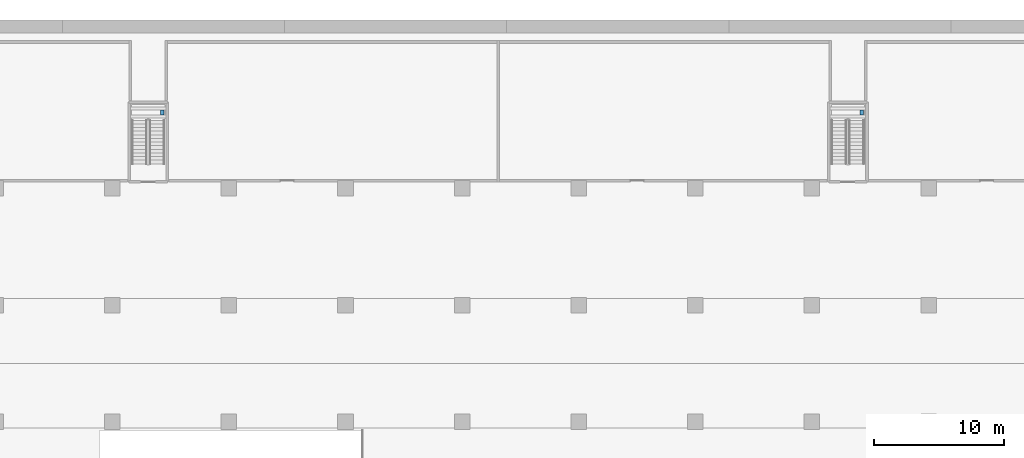
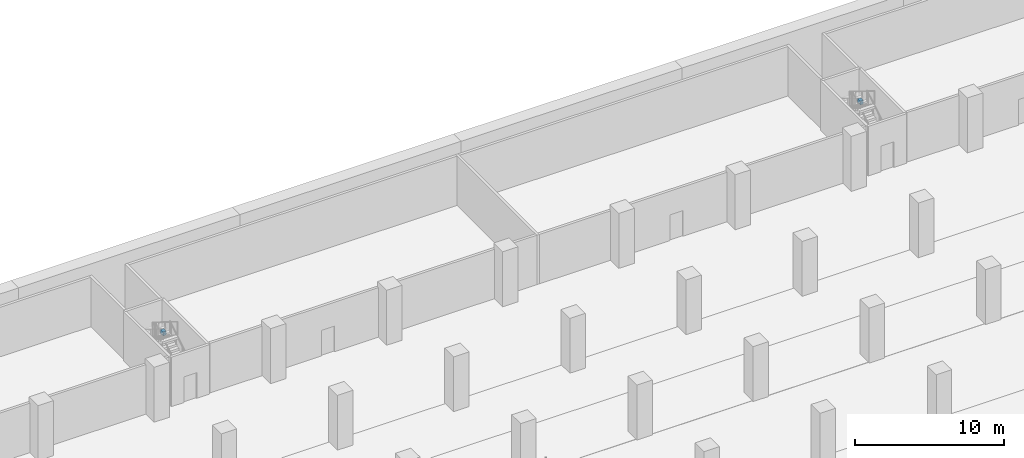
# One storey, part 5 of 34: 2 beams.
"""IFC4 building model written with IfcOpenShell, lengths in metres."""

from ifc_helpers import new_model, si_unit, direction, frame, origin, origin_2d, place, context, subcontext, project, spatial, rectangle, extrude, material, material_profile, profile_set, type_object, element, save


model = new_model("IFC4")

# Units and contexts
model_context = context("Model", 3, precision=1e-05, world=origin(), true_north=direction((0.0, 1.0)))
body_context = subcontext(model_context, "Body", "Model", "MODEL_VIEW")
ifc_project = project(units=[si_unit("LENGTHUNIT", "METRE"), si_unit("AREAUNIT", "SQUARE_METRE"), si_unit("VOLUMEUNIT", "CUBIC_METRE"), si_unit("PLANEANGLEUNIT", "RADIAN"), si_unit("MASSUNIT", "GRAM", prefix="KILO")], contexts=[model_context])

# Site, building, storey
site_placement = place(None, origin())
site = spatial("IfcSite", under=ifc_project, at=site_placement, CompositionType="ELEMENT")
building_placement = place(site_placement, origin())
building = spatial("IfcBuilding", under=site, at=building_placement, Name="Ogive Gate Towers", CompositionType="ELEMENT")
storey_placement = place(building_placement, frame((0.0, 0.0, -4.5)))
storey = spatial("IfcBuildingStorey", under=building, at=storey_placement, Name="B1", CompositionType="ELEMENT", Elevation=-4.5)

# Beams
ifc_material = material(Name="Concrete C40/50", Category="concrete")
ifc_material_profile = material_profile(ifc_material, rectangle(XDim=0.25, YDim=0.300048828125, at=origin_2d()), Name="RC 250x300")
ifc_profile_set = profile_set([ifc_material_profile], Name="Concrete C40/50")
beam_type = type_object("IfcBeamType", Name="Landing bearer RC 250x300 (stair)", PredefinedType="BEAM", material=ifc_profile_set)
for number, where, z_axis, x_axis, name in (
    (1, (-95.14990234375, 68.68505859375, 1.89990234375), (0.0, 1.0, 0.0), (-1.0, 0.0, 0.0), "CS1 B1 landing 1 bearer 3"),
    (2, (-41.14990234375, 68.68505859375, 1.89990234375), (0.0, 1.0, 0.0), (-1.0, 0.0, 0.0), "CS2 B1 landing 1 bearer 3"),
):
    element("IfcBeam", number, at=place(storey_placement, frame(where, z_axis=z_axis, x_axis=x_axis)), inside=storey, type_object=beam_type, Name=name, PredefinedType="BEAM", context=body_context, shape_type="SweptSolid", body=[
        extrude(rectangle(XDim=0.25, YDim=0.300048828125, at=origin_2d()), origin(), (0.0, 0.0, 1.0), 0.349853515625),
    ])

save(model, "model.ifc")
